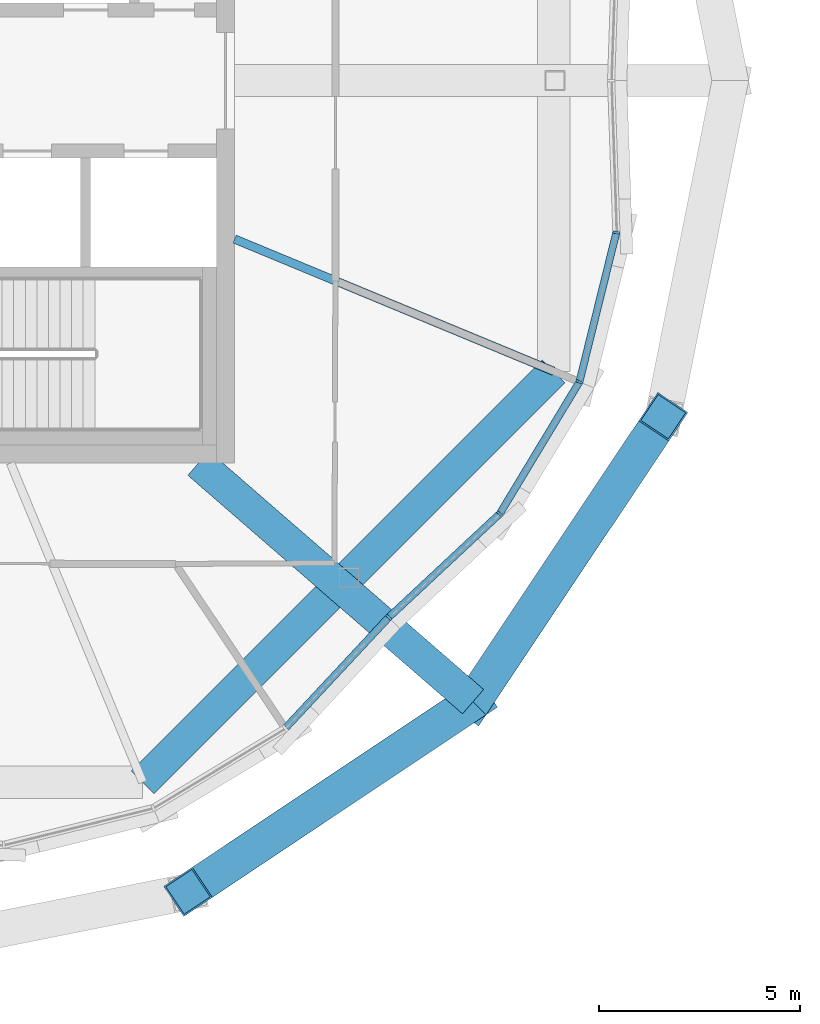
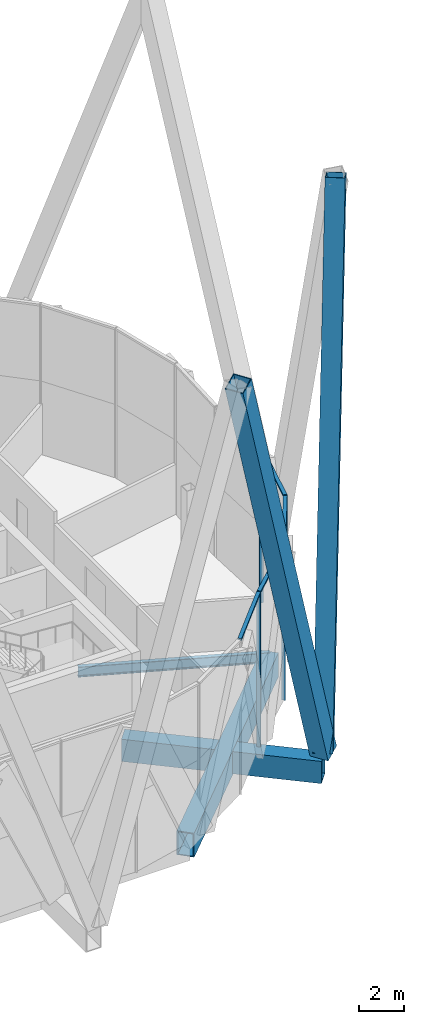
# One storey, part 6 of 38: 10 members, 3 beams, 2 elements without a shape of their own.
"""IFC4 building model written with IfcOpenShell, lengths in metres."""

from ifc_helpers import new_model, si_unit, direction, frame, origin, origin_2d, place, context, subcontext, project, spatial, rectangle, hollow_rectangle, i_section, extrude, material, material_profile, profile_set, type_object, element, aggregate, save


model = new_model("IFC4")

# Units and contexts
model_context = context("Model", 3, precision=1e-05, world=origin(), true_north=direction((0.0, 1.0)))
body_context = subcontext(model_context, "Body", "Model", "MODEL_VIEW")
ifc_project = project(units=[si_unit("LENGTHUNIT", "METRE"), si_unit("AREAUNIT", "SQUARE_METRE"), si_unit("VOLUMEUNIT", "CUBIC_METRE"), si_unit("PLANEANGLEUNIT", "RADIAN"), si_unit("MASSUNIT", "GRAM", prefix="KILO")], contexts=[model_context])

# Site, building, storey
site_placement = place(None, origin())
site = spatial("IfcSite", under=ifc_project, at=site_placement, CompositionType="ELEMENT")
building_placement = place(site_placement, origin())
building = spatial("IfcBuilding", under=site, at=building_placement, Name="Ogive Gate Towers", CompositionType="ELEMENT")
storey_placement = place(building_placement, frame((0.0, 0.0, 268.800048828125)))
storey = spatial("IfcBuildingStorey", under=building, at=storey_placement, Name="L63", CompositionType="ELEMENT", Elevation=268.800048828125)

# Members
ifc_material_1 = material(Name="Steel SM460", Category="steel")
ifc_material_profile_1 = material_profile(ifc_material_1, hollow_rectangle(XDim=0.89990234375, YDim=0.89990234375, WallThickness=0.0400390625, at=origin_2d()), Name="BX 900x900x40")
ifc_profile_set_1 = profile_set([ifc_material_profile_1], Name="Steel SM460")
member_type_1 = type_object("IfcMemberType", Name="Diagrid diagonal BX 900x900x40", PredefinedType="BRACE", material=ifc_profile_set_1)
for number, where, z_axis, x_axis, name in (
    (1, (-20.577880859375, -15.422119140625, 0.0), (-0.266099402159, -0.177577062234, 0.947447885184), (0.555084174574, -0.831794180755, 0.0), "T1/L63/SDG015"),
    (2, (-20.577880859375, -15.422119140625, 0.0), (0.177577062234, 0.266099402159, 0.947447885184), (-0.831794180755, 0.555084174574, 0.0), "T1/L63/SDG016"),
):
    element("IfcMember", number, at=place(storey_placement, frame(where, z_axis=z_axis, x_axis=x_axis)), inside=storey, type_object=member_type_1, Name=name, PredefinedType="BRACE", context=body_context, shape_type="SweptSolid", body=[
        extrude(hollow_rectangle(XDim=0.89990234375, YDim=0.89990234375, WallThickness=0.0400390625, at=origin_2d()), origin(), (0.0, 0.0, 1.0), 26.59765625),
    ])

# Beams
ifc_material_profile_2 = material_profile(ifc_material_1, hollow_rectangle(XDim=0.800048828125, YDim=1.300048828125, WallThickness=0.050048828125, at=origin_2d()), Name="BX 1300x800x50")
ifc_profile_set_2 = profile_set([ifc_material_profile_2], Name="Steel SM460")
beam_type_1 = type_object("IfcBeamType", Name="Edge girder BX 1300x800x50", PredefinedType="BEAM", material=ifc_profile_set_2)
beam_1_placement = place(storey_placement, frame((-28.782470703125, -17.42431640625, -0.949951171875), z_axis=(0.707106781187, 0.707106781187, 0.0), x_axis=(-0.707106781187, 0.707106781187, 0.0)))
element("IfcBeam", 3, at=beam_1_placement, inside=storey, type_object=beam_type_1, Name="T1/L63/SBM019", PredefinedType="BEAM", context=body_context, shape_type="SweptSolid", body=[
    extrude(hollow_rectangle(XDim=0.800048828125, YDim=1.300048828125, WallThickness=0.050048828125, at=origin_2d()), origin(), (0.0, 0.0, 1.0), 14.4345703125),
])
ifc_material_2 = material(Name="Steel SM355", Category="steel")
ifc_material_profile_3 = material_profile(ifc_material_2, i_section(OverallWidth=0.2099609375, OverallDepth=0.550048828125, WebThickness=0.010986328125, FlangeThickness=0.01708984375, FilletRadius=0.02392578125, at=origin_2d()), Name="IPE 550")
ifc_profile_set_3 = profile_set([ifc_material_profile_3], Name="Steel SM355")
beam_type_2 = type_object("IfcBeamType", Name="Radial floor beam IPE 550", PredefinedType="BEAM", material=ifc_profile_set_3)
beam_2_placement = place(storey_placement, frame((-26.5, -3.93505859375, -0.574951171875), z_axis=(0.923874941579, -0.382694515667, 0.0), x_axis=(0.382694515667, 0.923874941579, 0.0)))
element("IfcBeam", 4, at=beam_2_placement, inside=storey, type_object=beam_type_2, Name="T1/L63/SBM007", PredefinedType="BEAM", context=body_context, shape_type="SweptSolid", body=[
    extrude(i_section(OverallWidth=0.2099609375, OverallDepth=0.550048828125, WebThickness=0.010986328125, FlangeThickness=0.01708984375, FilletRadius=0.02392578125, at=origin_2d()), origin(), (0.0, 0.0, 1.0), 8.5771484375),
])

# Curtain wall, member
ifc_material_3 = material(Name="Pale metal aluminium", Category="aluminium")
curtain_wall_type = type_object("IfcCurtainWallType", Name="Tower unitised wall, high zone", PredefinedType="NOTDEFINED", material=ifc_material_3)
curtain_wall_1_placement = place(storey_placement, origin())
curtain_wall_1 = element("IfcCurtainWall", 5, at=curtain_wall_1_placement, inside=storey, type_object=curtain_wall_type, Name="CW2 T1 ECW07", PredefinedType="NOTDEFINED")
ifc_material_profile_4 = material_profile(ifc_material_3, rectangle(XDim=0.179931640625, YDim=0.06005859375, at=origin_2d()), Name="60 x 180 aluminium box")
ifc_profile_set_4 = profile_set([ifc_material_profile_4], Name="Pale metal aluminium")
member_type_2 = type_object("IfcMemberType", Name="Tower unitised wall, high zone mullion 60 x 180", PredefinedType="MULLION", material=ifc_profile_set_4)
member_1_placement = place(storey_placement, frame((-22.671142578125, -13.329345703125, -0.300048828125), z_axis=(0.0, 0.0, 1.0), x_axis=(0.73111559473, -0.682253609109, 0.0)))
member_1 = element("IfcMember", 6, at=member_1_placement, type_object=member_type_2, Name="CW2 mullion", PredefinedType="MULLION", context=body_context, shape_type="SweptSolid", body=[
    extrude(rectangle(XDim=0.179931640625, YDim=0.06005859375, at=origin_2d()), origin(), (0.0, 0.0, 1.0), 8.39990234375),
])

# Curtain wall, members
curtain_wall_2_placement = place(storey_placement, origin())
curtain_wall_2 = element("IfcCurtainWall", 7, at=curtain_wall_2_placement, inside=storey, type_object=curtain_wall_type, Name="CW2 T1 ECW08", PredefinedType="NOTDEFINED")
member_2_placement = place(storey_placement, frame((-19.915283203125, -10.757568359375, -0.300048828125), z_axis=(0.0, 0.0, 1.0), x_axis=(0.776563492267, -0.630039000759, 0.0)))
member_2 = element("IfcMember", 8, at=member_2_placement, type_object=member_type_2, Name="CW2 mullion", PredefinedType="MULLION", context=body_context, shape_type="SweptSolid", body=[
    extrude(rectangle(XDim=0.179931640625, YDim=0.06005859375, at=origin_2d()), origin(), (0.0, 0.0, 1.0), 8.39990234375),
])
member_3_placement = place(storey_placement, frame((-17.93701171875, -7.48193359375, -0.300048828125), z_axis=(0.0, 0.0, 1.0), x_axis=(0.923879532511, -0.382683432365, 0.0)))
member_3 = element("IfcMember", 9, at=member_3_placement, type_object=member_type_2, Name="CW2 mullion", PredefinedType="MULLION", context=body_context, shape_type="SweptSolid", body=[
    extrude(rectangle(XDim=0.179931640625, YDim=0.06005859375, at=origin_2d()), origin(), (0.0, 0.0, 1.0), 8.39990234375),
])
member_4_placement = place(storey_placement, frame((-17.01953125, -3.766845703125, -0.300048828125), z_axis=(0.0, 0.0, 1.0), x_axis=(0.994618161253, -0.103608461555, 0.0)))
member_4 = element("IfcMember", 10, at=member_4_placement, type_object=member_type_2, Name="CW2 mullion", PredefinedType="MULLION", context=body_context, shape_type="SweptSolid", body=[
    extrude(rectangle(XDim=0.179931640625, YDim=0.06005859375, at=origin_2d()), origin(), (0.0, 0.0, 1.0), 8.39990234375),
])

# Member
ifc_material_profile_5 = material_profile(ifc_material_3, rectangle(XDim=0.179931640625, YDim=0.10009765625, at=origin_2d()), Name="100 x 180 aluminium box")
ifc_profile_set_5 = profile_set([ifc_material_profile_5], Name="Pale metal aluminium")
member_type_3 = type_object("IfcMemberType", Name="Tower unitised wall, high zone transom 100 x 180", PredefinedType="USERDEFINED", material=ifc_profile_set_5)
member_5_placement = place(storey_placement, frame((-25.222900390625, -16.063720703125, 8.050048828125), z_axis=(0.682271356681, 0.731099032863, 0.0), x_axis=(-0.731099032863, 0.682271356681, 0.0)))
member_5 = element("IfcMember", 11, at=member_5_placement, type_object=member_type_3, Name="CW2 transom", ObjectType="TRANSOM", PredefinedType="USERDEFINED", context=body_context, shape_type="SweptSolid", body=[
    extrude(rectangle(XDim=0.179931640625, YDim=0.10009765625, at=origin_2d()), origin(), (0.0, 0.0, 1.0), 3.7099609375),
])

aggregate(curtain_wall_1, [member_1, member_5])

member_6_placement = place(storey_placement, frame((-22.648681640625, -13.308349609375, 8.050048828125), z_axis=(0.731099032863, 0.682271356681, 0.0), x_axis=(-0.682271356681, 0.731099032863, 0.0)))
member_6 = element("IfcMember", 12, at=member_6_placement, type_object=member_type_3, Name="CW2 transom", ObjectType="TRANSOM", PredefinedType="USERDEFINED", context=body_context, shape_type="SweptSolid", body=[
    extrude(rectangle(XDim=0.179931640625, YDim=0.10009765625, at=origin_2d()), origin(), (0.0, 0.0, 1.0), 3.7099609375),
])

member_7_placement = place(storey_placement, frame((-19.900634765625, -10.73291015625, 8.050048828125), z_axis=(0.516960440677, 0.856009288954, 0.0), x_axis=(-0.856009288954, 0.516960440677, 0.0)))
member_7 = element("IfcMember", 13, at=member_7_placement, type_object=member_type_3, Name="CW2 transom", ObjectType="TRANSOM", PredefinedType="USERDEFINED", context=body_context, shape_type="SweptSolid", body=[
    extrude(rectangle(XDim=0.179931640625, YDim=0.10009765625, at=origin_2d()), origin(), (0.0, 0.0, 1.0), 3.76953125),
])

member_8_placement = place(storey_placement, frame((-17.930419921875, -7.4541015625, 8.050048828125), z_axis=(0.239776231218, 0.970828181988, 0.0), x_axis=(-0.970828181988, 0.239776231218, 0.0)))
member_8 = element("IfcMember", 14, at=member_8_placement, type_object=member_type_3, Name="CW2 transom", ObjectType="TRANSOM", PredefinedType="USERDEFINED", context=body_context, shape_type="SweptSolid", body=[
    extrude(rectangle(XDim=0.179931640625, YDim=0.10009765625, at=origin_2d()), origin(), (0.0, 0.0, 1.0), 3.769287109375),
])

aggregate(curtain_wall_2, [member_2, member_6, member_3, member_7, member_4, member_8])

# Beam
ifc_material_profile_6 = material_profile(ifc_material_1, hollow_rectangle(XDim=0.800048828125, YDim=1.199951171875, WallThickness=0.050048828125, at=origin_2d()), Name="BX 1200x800x50")
ifc_profile_set_6 = profile_set([ifc_material_profile_6], Name="Steel SM460")
beam_type_3 = type_object("IfcBeamType", Name="Transfer radial beam BX 1200x800x50", PredefinedType="BEAM", material=ifc_profile_set_6)
beam_3_placement = place(storey_placement, frame((-27.39990234375, -9.5, -0.900146484375), z_axis=(0.755157389596, -0.655543527875, 0.0), x_axis=(0.655543527875, 0.755157389596, 0.0)))
element("IfcBeam", 15, at=beam_3_placement, inside=storey, type_object=beam_type_3, Name="T1/L63/SBM006", PredefinedType="BEAM", context=body_context, shape_type="SweptSolid", body=[
    extrude(hollow_rectangle(XDim=0.800048828125, YDim=1.199951171875, WallThickness=0.050048828125, at=origin_2d()), origin(), (0.0, 0.0, 1.0), 9.033935546875),
])

save(model, "model.ifc")
